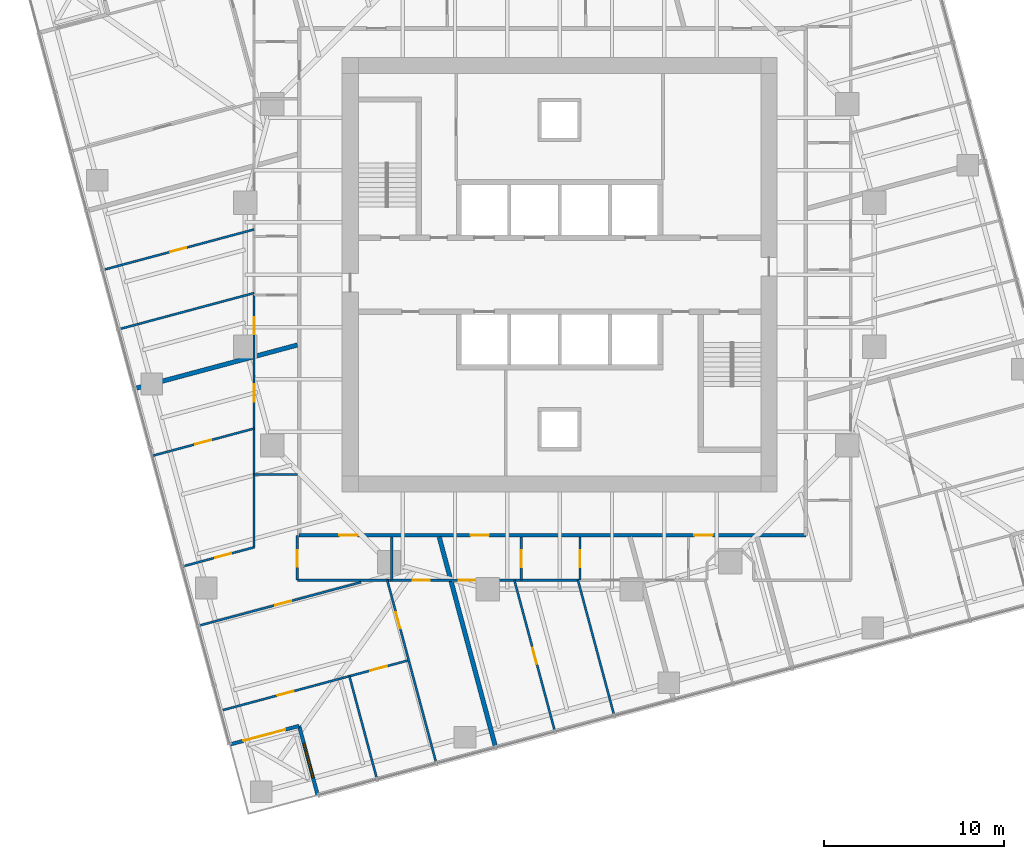
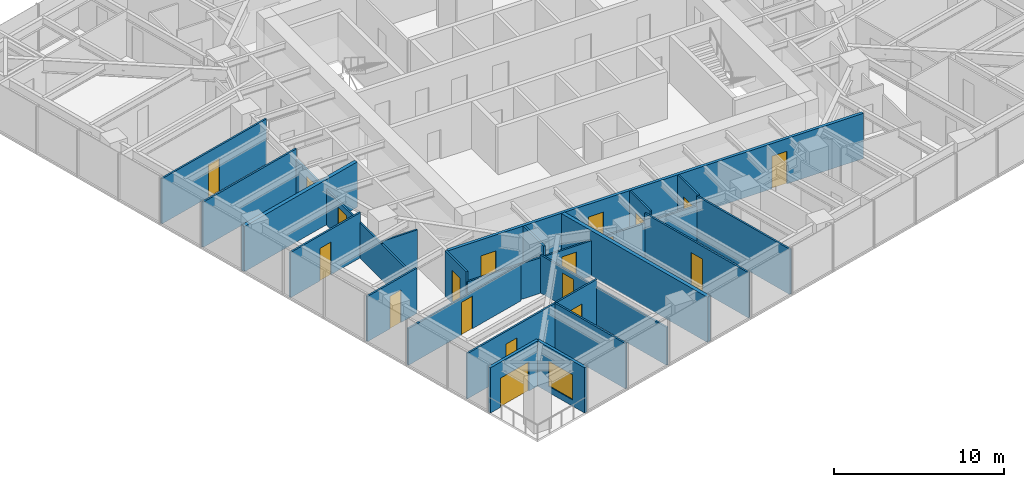
# One storey, part 8 of 14: 22 walls, 19 doors, 1 window, 20 openings.
"""IFC4 building model written with IfcOpenShell, lengths in metres."""

from ifc_helpers import new_model, si_unit, direction, frame, frame_2d, origin, place, context, subcontext, project, spatial, rectangle, extrude, material, layer, layer_set, type_object, element, fill, save


model = new_model("IFC4")

# Units and contexts
model_context = context("Model", 3, precision=1e-05, world=origin(), true_north=direction((0.0, 1.0)))
body_context = subcontext(model_context, "Body", "Model", "MODEL_VIEW")
ifc_project = project(units=[si_unit("LENGTHUNIT", "METRE"), si_unit("AREAUNIT", "SQUARE_METRE"), si_unit("VOLUMEUNIT", "CUBIC_METRE"), si_unit("PLANEANGLEUNIT", "RADIAN"), si_unit("MASSUNIT", "GRAM", prefix="KILO")], contexts=[model_context])

# Site, building, storey
site_placement = place(None, origin())
site = spatial("IfcSite", under=ifc_project, at=site_placement, CompositionType="ELEMENT")
building_placement = place(site_placement, origin())
building = spatial("IfcBuilding", under=site, at=building_placement, Name="Torsade Residences", CompositionType="ELEMENT")
storey_placement = place(building_placement, frame((0.0, 0.0, 121.800048828125)))
storey = spatial("IfcBuildingStorey", under=building, at=storey_placement, Name="L33", CompositionType="ELEMENT", Elevation=121.800048828125)

# Wall, openings, doors
ifc_material_1 = material(Name="Plasterboard on steel stud", Category="steel")
ifc_layer_1 = layer(ifc_material_1, 0.199951171875)
ifc_layer_set_1 = layer_set([ifc_layer_1], Name="Plasterboard on steel stud")
wall_type_1 = type_object("IfcWallType", Name="CORRIDOR WALL 200", PredefinedType="PARTITIONING", material=ifc_layer_set_1)
wall_1_placement = place(storey_placement, frame((25.5, 15.5, 0.0), z_axis=(0.0, 0.0, 1.0), x_axis=(1.0, 0.0, 0.0)))
wall_1 = element("IfcWall", 1, at=wall_1_placement, inside=storey, type_object=wall_type_1, Name="Corridor wall L33", PredefinedType="PARTITIONING", context=body_context, shape_type="SweptSolid", body=[
    extrude(rectangle(XDim=28.199951171875, YDim=0.199951171875, at=frame_2d((14.10009765625, 0.0))), origin(), (0.0, 0.0, 1.0), 3.25),
])
opening_1_placement = place(wall_1_placement, frame((2.244140625, 0.0, 0.0)))
opening_1 = element("IfcOpeningElement", 2, at=opening_1_placement, cuts=wall_1, Name="Opening D01L", PredefinedType="OPENING", context=body_context, shape_type="SweptSolid", body=[
    extrude(rectangle(XDim=1.02001953125, YDim=2.10009765625, at=frame_2d((0.510009765625, 1.050048828125))), frame((0.0, 0.10986328125, 0.0), z_axis=(0.0, -1.0, 0.0), x_axis=(1.0, 0.0, 0.0)), (0.0, 0.0, 1.0), 0.219970703125),
])
opening_2_placement = place(wall_1_placement, frame((9.542236328125, 0.0, 0.0)))
opening_2 = element("IfcOpeningElement", 3, at=opening_2_placement, cuts=wall_1, Name="Opening D01", PredefinedType="OPENING", context=body_context, shape_type="SweptSolid", body=[
    extrude(rectangle(XDim=1.02001953125, YDim=2.340087890625, at=frame_2d((0.510009765625, 1.169921875))), frame((0.0, 0.10986328125, 0.0), z_axis=(0.0, -1.0, 0.0), x_axis=(1.0, 0.0, 0.0)), (0.0, 0.0, 1.0), 0.219970703125),
])
opening_3_placement = place(wall_1_placement, frame((21.994384765625, 0.0, 0.0)))
opening_3 = element("IfcOpeningElement", 4, at=opening_3_placement, cuts=wall_1, Name="Opening D01", PredefinedType="OPENING", context=body_context, shape_type="SweptSolid", body=[
    extrude(rectangle(XDim=1.02001953125, YDim=2.340087890625, at=frame_2d((0.510009765625, 1.169921875))), frame((0.0, 0.10986328125, 0.0), z_axis=(0.0, -1.0, 0.0), x_axis=(1.0, 0.0, 0.0)), (0.0, 0.0, 1.0), 0.219970703125),
])
ifc_material_2 = material(Name="Solid-core timber fire door", Category="wood")
door_type_1 = type_object("IfcDoorType", Name="APARTMENT ENTRY DOOR 1020x2100", OperationType="NOTDEFINED", PredefinedType="DOOR", material=ifc_material_2)
door_1_placement = place(opening_1_placement, origin())
door_1 = element("IfcDoor", 5, at=door_1_placement, inside=storey, type_object=door_type_1, Name="Door Residential corridor to Kitchen and dining", OperationType="SINGLE_SWING_LEFT", OverallHeight=2.10009765625, OverallWidth=1.02001953125, PredefinedType="DOOR", context=body_context, shape_type="SweptSolid", body=[
    extrude(rectangle(XDim=1.02001953125, YDim=2.10009765625, at=frame_2d((0.510009765625, 1.050048828125))), frame((0.0, 0.02490234375, 0.0), z_axis=(0.0, -1.0, 0.0), x_axis=(1.0, 0.0, 0.0)), (0.0, 0.0, 1.0), 0.050048828125),
])
fill(opening_1, door_1)
ifc_material_3 = material(Name="Solid-core timber fire door", Category="wood")
door_type_2 = type_object("IfcDoorType", Name="APARTMENT ENTRY DOOR 1020x2340", OperationType="NOTDEFINED", PredefinedType="DOOR", material=ifc_material_3)
door_2_placement = place(opening_2_placement, origin())
door_2 = element("IfcDoor", 6, at=door_2_placement, inside=storey, type_object=door_type_2, Name="Door Residential corridor to Kitchen and dining", OperationType="SINGLE_SWING_LEFT", OverallHeight=2.340087890625, OverallWidth=1.02001953125, PredefinedType="DOOR", context=body_context, shape_type="SweptSolid", body=[
    extrude(rectangle(XDim=1.02001953125, YDim=2.340087890625, at=frame_2d((0.510009765625, 1.169921875))), frame((0.0, 0.02490234375, 0.0), z_axis=(0.0, -1.0, 0.0), x_axis=(1.0, 0.0, 0.0)), (0.0, 0.0, 1.0), 0.050048828125),
])
fill(opening_2, door_2)
door_3_placement = place(opening_3_placement, origin())
door_3 = element("IfcDoor", 7, at=door_3_placement, inside=storey, type_object=door_type_2, Name="Door Residential corridor to Kitchen and dining", OperationType="SINGLE_SWING_RIGHT", OverallHeight=2.340087890625, OverallWidth=1.02001953125, PredefinedType="DOOR", context=body_context, shape_type="SweptSolid", body=[
    extrude(rectangle(XDim=1.02001953125, YDim=2.340087890625, at=frame_2d((0.510009765625, 1.169921875))), frame((0.0, 0.02490234375, 0.0), z_axis=(0.0, -1.0, 0.0), x_axis=(1.0, 0.0, 0.0)), (0.0, 0.0, 1.0), 0.050048828125),
])
fill(opening_3, door_3)

# Wall
ifc_material_4 = material(Name="Plasterboard on steel stud", Category="steel")
ifc_layer_2 = layer(ifc_material_4, 0.1201171875)
ifc_layer_set_2 = layer_set([ifc_layer_2], Name="Plasterboard on steel stud")
wall_type_2 = type_object("IfcWallType", Name="PARTITION 120", PredefinedType="PARTITIONING", material=ifc_layer_set_2)
wall_2_placement = place(storey_placement, frame((30.658203125, 15.39990234375, 0.0), z_axis=(0.0, 0.0, 1.0), x_axis=(0.0, -1.0, 0.0)))
element("IfcWall", 8, at=wall_2_placement, inside=storey, type_object=wall_type_2, Name="Partition L33", PredefinedType="PARTITIONING", context=body_context, shape_type="SweptSolid", body=[
    extrude(rectangle(XDim=2.39990234375, YDim=0.1201171875, at=frame_2d((1.199951171875, 0.0))), origin(), (0.0, 0.0, 1.0), 3.25),
])

# Wall, openings, doors
wall_3_placement = place(storey_placement, frame((41.06982421875, 13.0, 0.0), z_axis=(0.0, 0.0, 1.0), x_axis=(-1.0, 0.0, 0.0)))
wall_3 = element("IfcWall", 9, at=wall_3_placement, inside=storey, type_object=wall_type_2, Name="Partition L33", PredefinedType="PARTITIONING", context=body_context, shape_type="SweptSolid", body=[
    extrude(rectangle(XDim=15.669921875, YDim=0.1201171875, at=frame_2d((7.8349609375, 0.0))), origin(), (0.0, 0.0, 1.0), 2.550048828125),
])
opening_4_placement = place(wall_3_placement, frame((5.771728515625, 0.0, 0.0)))
opening_4 = element("IfcOpeningElement", 10, at=opening_4_placement, cuts=wall_3, Name="Opening D02", PredefinedType="OPENING", context=body_context, shape_type="SweptSolid", body=[
    extrude(rectangle(XDim=0.919921875, YDim=2.340087890625, at=frame_2d((0.4599609375, 1.169921875))), frame((0.0, 0.070068359375, 0.0), z_axis=(0.0, -1.0, 0.0), x_axis=(1.0, 0.0, 0.0)), (0.0, 0.0, 1.0), 0.14013671875),
])
opening_5_placement = place(wall_3_placement, frame((8.288818359375, 0.0, 0.0)))
opening_5 = element("IfcOpeningElement", 11, at=opening_5_placement, cuts=wall_3, Name="Opening D05", PredefinedType="OPENING", context=body_context, shape_type="SweptSolid", body=[
    extrude(rectangle(XDim=0.9599609375, YDim=2.10009765625, at=frame_2d((0.47998046875, 1.050048828125))), frame((0.0, 0.070068359375, 0.0), z_axis=(0.0, -1.0, 0.0), x_axis=(1.0, 0.0, 0.0)), (0.0, 0.0, 1.0), 0.14013671875),
])
ifc_material_5 = material(Name="Hollow-core timber door in a steel cavity frame", Category="steel")
door_type_3 = type_object("IfcDoorType", Name="BATHROOM CAVITY SLIDING DOOR 960", OperationType="SLIDING_TO_LEFT", PredefinedType="DOOR", material=ifc_material_5)
door_4_placement = place(opening_5_placement, origin())
door_4 = element("IfcDoor", 12, at=door_4_placement, inside=storey, type_object=door_type_3, Name="Door Bedroom 2 to Ensuite", OperationType="SLIDING_TO_LEFT", OverallHeight=2.10009765625, OverallWidth=0.9599609375, PredefinedType="DOOR", context=body_context, shape_type="SweptSolid", body=[
    extrude(rectangle(XDim=0.9599609375, YDim=2.10009765625, at=frame_2d((0.47998046875, 1.050048828125))), frame((0.0, 0.02490234375, 0.0), z_axis=(0.0, -1.0, 0.0), x_axis=(1.0, 0.0, 0.0)), (0.0, 0.0, 1.0), 0.050048828125),
])
fill(opening_5, door_4)
ifc_material_6 = material(Name="Hollow-core timber door", Category="wood")
door_type_4 = type_object("IfcDoorType", Name="INTERNAL DOOR 920x2340", OperationType="NOTDEFINED", PredefinedType="DOOR", material=ifc_material_6)
door_5_placement = place(opening_4_placement, origin())
door_5 = element("IfcDoor", 13, at=door_5_placement, inside=storey, type_object=door_type_4, Name="Door Kitchen and dining to Living room", OperationType="SINGLE_SWING_LEFT", OverallHeight=2.340087890625, OverallWidth=0.919921875, PredefinedType="DOOR", context=body_context, shape_type="SweptSolid", body=[
    extrude(rectangle(XDim=0.919921875, YDim=2.340087890625, at=frame_2d((0.4599609375, 1.169921875))), frame((0.0, 0.02490234375, 0.0), z_axis=(0.0, -1.0, 0.0), x_axis=(1.0, 0.0, 0.0)), (0.0, 0.0, 1.0), 0.050048828125),
])
fill(opening_4, door_5)

# Wall, opening, door
wall_4_placement = place(storey_placement, frame((25.39990234375, 13.0, 0.0), z_axis=(0.0, 0.0, 1.0), x_axis=(0.0, 1.0, 0.0)))
wall_4 = element("IfcWall", 14, at=wall_4_placement, inside=storey, type_object=wall_type_2, Name="Partition L33", PredefinedType="PARTITIONING", context=body_context, shape_type="SweptSolid", body=[
    extrude(rectangle(XDim=2.5, YDim=0.1201171875, at=frame_2d((1.25, 0.0))), origin(), (0.0, 0.0, 1.0), 3.25),
])
opening_6_placement = place(wall_4_placement, frame((0.739990234375, 0.0, 0.0)))
opening_6 = element("IfcOpeningElement", 15, at=opening_6_placement, cuts=wall_4, Name="Opening D02", PredefinedType="OPENING", context=body_context, shape_type="SweptSolid", body=[
    extrude(rectangle(XDim=0.919921875, YDim=2.340087890625, at=frame_2d((0.4599609375, 1.169921875))), frame((0.0, 0.070068359375, 0.0), z_axis=(0.0, -1.0, 0.0), x_axis=(1.0, 0.0, 0.0)), (0.0, 0.0, 1.0), 0.14013671875),
])
door_6_placement = place(opening_6_placement, origin())
door_6 = element("IfcDoor", 16, at=door_6_placement, inside=storey, type_object=door_type_4, Name="Door Kitchen and dining to Media room", OperationType="SINGLE_SWING_LEFT", OverallHeight=2.340087890625, OverallWidth=0.919921875, PredefinedType="DOOR", context=body_context, shape_type="SweptSolid", body=[
    extrude(rectangle(XDim=0.919921875, YDim=2.340087890625, at=frame_2d((0.4599609375, 1.169921875))), frame((0.0, 0.02490234375, 0.0), z_axis=(0.0, -1.0, 0.0), x_axis=(1.0, 0.0, 0.0)), (0.0, 0.0, 1.0), 0.050048828125),
])
fill(opening_6, door_6)

# Wall, openings, doors
wall_5_placement = place(storey_placement, frame((23.0, 14.833251953125, 0.0), z_axis=(0.0, 0.0, 1.0), x_axis=(0.0, 1.0, 0.0)))
wall_5 = element("IfcWall", 17, at=wall_5_placement, inside=storey, type_object=wall_type_2, Name="Partition L33", PredefinedType="PARTITIONING", context=body_context, shape_type="SweptSolid", body=[
    extrude(rectangle(XDim=14.034423828125, YDim=0.1201171875, at=frame_2d((7.01708984375, 0.0))), origin(), (0.0, 0.0, 1.0), 2.550048828125),
])
opening_7_placement = place(wall_5_placement, frame((11.843017578125, 0.0, 0.0)))
opening_7 = element("IfcOpeningElement", 18, at=opening_7_placement, cuts=wall_5, Name="Opening D05", PredefinedType="OPENING", context=body_context, shape_type="SweptSolid", body=[
    extrude(rectangle(XDim=0.9599609375, YDim=2.10009765625, at=frame_2d((0.47998046875, 1.050048828125))), frame((0.0, 0.070068359375, 0.0), z_axis=(0.0, -1.0, 0.0), x_axis=(1.0, 0.0, 0.0)), (0.0, 0.0, 1.0), 0.14013671875),
])
opening_8_placement = place(wall_5_placement, frame((8.10400390625, 0.0, 0.0)))
opening_8 = element("IfcOpeningElement", 19, at=opening_8_placement, cuts=wall_5, Name="Opening D05", PredefinedType="OPENING", context=body_context, shape_type="SweptSolid", body=[
    extrude(rectangle(XDim=0.9599609375, YDim=2.10009765625, at=frame_2d((0.47998046875, 1.050048828125))), frame((0.0, 0.070068359375, 0.0), z_axis=(0.0, -1.0, 0.0), x_axis=(1.0, 0.0, 0.0)), (0.0, 0.0, 1.0), 0.14013671875),
])
door_7_placement = place(opening_7_placement, origin())
door_7 = element("IfcDoor", 20, at=door_7_placement, inside=storey, type_object=door_type_3, Name="Door Ensuite to Bedroom 2", OperationType="SLIDING_TO_LEFT", OverallHeight=2.10009765625, OverallWidth=0.9599609375, PredefinedType="DOOR", context=body_context, shape_type="SweptSolid", body=[
    extrude(rectangle(XDim=0.9599609375, YDim=2.10009765625, at=frame_2d((0.47998046875, 1.050048828125))), frame((0.0, 0.02490234375, 0.0), z_axis=(0.0, -1.0, 0.0), x_axis=(1.0, 0.0, 0.0)), (0.0, 0.0, 1.0), 0.050048828125),
])
fill(opening_7, door_7)
door_8_placement = place(opening_8_placement, origin())
door_8 = element("IfcDoor", 21, at=door_8_placement, inside=storey, type_object=door_type_3, Name="Door Study to Ensuite 2", OperationType="SLIDING_TO_LEFT", OverallHeight=2.10009765625, OverallWidth=0.9599609375, PredefinedType="DOOR", context=body_context, shape_type="SweptSolid", body=[
    extrude(rectangle(XDim=0.9599609375, YDim=2.10009765625, at=frame_2d((0.47998046875, 1.050048828125))), frame((0.0, 0.02490234375, 0.0), z_axis=(0.0, -1.0, 0.0), x_axis=(1.0, 0.0, 0.0)), (0.0, 0.0, 1.0), 0.050048828125),
])
fill(opening_8, door_8)

# Wall
wall_6_placement = place(storey_placement, frame((25.39990234375, 18.88037109375, 0.0), z_axis=(0.0, 0.0, 1.0), x_axis=(-1.0, 0.0, 0.0)))
element("IfcWall", 22, at=wall_6_placement, inside=storey, type_object=wall_type_2, Name="Partition L33", PredefinedType="PARTITIONING", context=body_context, shape_type="SweptSolid", body=[
    extrude(rectangle(XDim=2.39990234375, YDim=0.1201171875, at=frame_2d((1.199951171875, 0.0))), origin(), (0.0, 0.0, 1.0), 2.721923828125),
])

# Wall, opening, door
wall_7_placement = place(storey_placement, frame((30.40625, 13.0, 0.0), z_axis=(0.0, 0.0, 1.0), x_axis=(0.258819200315, -0.9659257847, 0.0)))
wall_7 = element("IfcWall", 23, at=wall_7_placement, inside=storey, type_object=wall_type_2, Name="Partition L33", PredefinedType="PARTITIONING", context=body_context, shape_type="SweptSolid", body=[
    extrude(rectangle(XDim=10.5224609375, YDim=0.1201171875, at=frame_2d((5.26123046875, 0.0))), origin(), (0.0, 0.0, 1.0), 2.721923828125),
])
opening_9_placement = place(wall_7_placement, frame((1.846435546875, 0.0, 0.0)))
opening_9 = element("IfcOpeningElement", 24, at=opening_9_placement, cuts=wall_7, Name="Opening D02", PredefinedType="OPENING", context=body_context, shape_type="SweptSolid", body=[
    extrude(rectangle(XDim=0.919921875, YDim=2.340087890625, at=frame_2d((0.4599609375, 1.169921875))), frame((0.0, 0.070068359375, 0.0), z_axis=(0.0, -1.0, 0.0), x_axis=(1.0, 0.0, 0.0)), (0.0, 0.0, 1.0), 0.14013671875),
])
door_9_placement = place(opening_9_placement, origin())
door_9 = element("IfcDoor", 25, at=door_9_placement, inside=storey, type_object=door_type_4, Name="Door Living room to Bedroom 2", OperationType="SINGLE_SWING_LEFT", OverallHeight=2.340087890625, OverallWidth=0.919921875, PredefinedType="DOOR", context=body_context, shape_type="SweptSolid", body=[
    extrude(rectangle(XDim=0.919921875, YDim=2.340087890625, at=frame_2d((0.4599609375, 1.169921875))), frame((0.0, 0.02490234375, 0.0), z_axis=(0.0, -1.0, 0.0), x_axis=(1.0, 0.0, 0.0)), (0.0, 0.0, 1.0), 0.050048828125),
])
fill(opening_9, door_9)

# Wall, openings, doors
wall_8_placement = place(storey_placement, frame((31.60009765625, 8.54443359375, 0.0), z_axis=(0.0, 0.0, 1.0), x_axis=(-0.965927151587, -0.258814098973, 0.0)))
wall_8 = element("IfcWall", 26, at=wall_8_placement, inside=storey, type_object=wall_type_2, Name="Partition L33", PredefinedType="PARTITIONING", context=body_context, shape_type="SweptSolid", body=[
    extrude(rectangle(XDim=10.793212890625, YDim=0.1201171875, at=frame_2d((5.396484375, 0.0))), origin(), (0.0, 0.0, 1.0), 3.25),
])
opening_10_placement = place(wall_8_placement, frame((6.639892578125, 0.0, 0.0)))
opening_10 = element("IfcOpeningElement", 27, at=opening_10_placement, cuts=wall_8, Name="Opening D02", PredefinedType="OPENING", context=body_context, shape_type="SweptSolid", body=[
    extrude(rectangle(XDim=0.919921875, YDim=2.340087890625, at=frame_2d((0.4599609375, 1.169921875))), frame((0.0, 0.070068359375, 0.0), z_axis=(0.0, -1.0, 0.0), x_axis=(1.0, 0.0, 0.0)), (0.0, 0.0, 1.0), 0.14013671875),
])
opening_11_placement = place(wall_8_placement, frame((1.25341796875, 0.0, 0.0)))
opening_11 = element("IfcOpeningElement", 28, at=opening_11_placement, cuts=wall_8, Name="Opening D05", PredefinedType="OPENING", context=body_context, shape_type="SweptSolid", body=[
    extrude(rectangle(XDim=0.9599609375, YDim=2.10009765625, at=frame_2d((0.47998046875, 1.050048828125))), frame((0.0, 0.070068359375, 0.0), z_axis=(0.0, -1.0, 0.0), x_axis=(1.0, 0.0, 0.0)), (0.0, 0.0, 1.0), 0.14013671875),
])
door_10_placement = place(opening_11_placement, origin())
door_10 = element("IfcDoor", 29, at=door_10_placement, inside=storey, type_object=door_type_3, Name="Door Living room to Bathroom", OperationType="SLIDING_TO_LEFT", OverallHeight=2.10009765625, OverallWidth=0.9599609375, PredefinedType="DOOR", context=body_context, shape_type="SweptSolid", body=[
    extrude(rectangle(XDim=0.9599609375, YDim=2.10009765625, at=frame_2d((0.47998046875, 1.050048828125))), frame((0.0, 0.02490234375, 0.0), z_axis=(0.0, -1.0, 0.0), x_axis=(1.0, 0.0, 0.0)), (0.0, 0.0, 1.0), 0.050048828125),
])
fill(opening_11, door_10)
door_11_placement = place(opening_10_placement, origin())
door_11 = element("IfcDoor", 30, at=door_11_placement, inside=storey, type_object=door_type_4, Name="Door Living room to Bedroom 3", OperationType="SINGLE_SWING_LEFT", OverallHeight=2.340087890625, OverallWidth=0.919921875, PredefinedType="DOOR", context=body_context, shape_type="SweptSolid", body=[
    extrude(rectangle(XDim=0.919921875, YDim=2.340087890625, at=frame_2d((0.4599609375, 1.169921875))), frame((0.0, 0.02490234375, 0.0), z_axis=(0.0, -1.0, 0.0), x_axis=(1.0, 0.0, 0.0)), (0.0, 0.0, 1.0), 0.050048828125),
])
fill(opening_10, door_11)

# Wall, opening, door
wall_9_placement = place(storey_placement, frame((19.91064453125, 10.46826171875, 0.0), z_axis=(0.0, 0.0, 1.0), x_axis=(0.965927203676, 0.25881390457, 0.0)))
wall_9 = element("IfcWall", 31, at=wall_9_placement, inside=storey, type_object=wall_type_2, Name="Partition L33", PredefinedType="PARTITIONING", context=body_context, shape_type="SweptSolid", body=[
    extrude(rectangle(XDim=9.356689453125, YDim=0.1201171875, at=frame_2d((4.67822265625, 0.0))), origin(), (0.0, 0.0, 1.0), 2.637939453125),
])
opening_12_placement = place(wall_9_placement, frame((4.410888671875, 0.0, 0.0)))
opening_12 = element("IfcOpeningElement", 32, at=opening_12_placement, cuts=wall_9, Name="Opening D02", PredefinedType="OPENING", context=body_context, shape_type="SweptSolid", body=[
    extrude(rectangle(XDim=0.919921875, YDim=2.340087890625, at=frame_2d((0.4599609375, 1.169921875))), frame((0.0, 0.070068359375, 0.0), z_axis=(0.0, -1.0, 0.0), x_axis=(1.0, 0.0, 0.0)), (0.0, 0.0, 1.0), 0.14013671875),
])
door_12_placement = place(opening_12_placement, origin())
door_12 = element("IfcDoor", 33, at=door_12_placement, inside=storey, type_object=door_type_4, Name="Door Media room to Living room", OperationType="SINGLE_SWING_LEFT", OverallHeight=2.340087890625, OverallWidth=0.919921875, PredefinedType="DOOR", context=body_context, shape_type="SweptSolid", body=[
    extrude(rectangle(XDim=0.919921875, YDim=2.340087890625, at=frame_2d((0.4599609375, 1.169921875))), frame((0.0, 0.02490234375, 0.0), z_axis=(0.0, -1.0, 0.0), x_axis=(1.0, 0.0, 0.0)), (0.0, 0.0, 1.0), 0.050048828125),
])
fill(opening_12, door_12)

wall_10_placement = place(storey_placement, frame((17.374267578125, 19.934326171875, 0.0), z_axis=(0.0, 0.0, 1.0), x_axis=(0.965929528031, 0.258805229617, 0.0)))
wall_10 = element("IfcWall", 34, at=wall_10_placement, inside=storey, type_object=wall_type_2, Name="Partition L33", PredefinedType="PARTITIONING", context=body_context, shape_type="SweptSolid", body=[
    extrude(rectangle(XDim=5.82421875, YDim=0.1201171875, at=frame_2d((2.912109375, 0.0))), origin(), (0.0, 0.0, 1.0), 3.25),
])
opening_13_placement = place(wall_10_placement, frame((2.43212890625, 0.0, 0.0)))
opening_13 = element("IfcOpeningElement", 35, at=opening_13_placement, cuts=wall_10, Name="Opening D02", PredefinedType="OPENING", context=body_context, shape_type="SweptSolid", body=[
    extrude(rectangle(XDim=0.919921875, YDim=2.340087890625, at=frame_2d((0.4599609375, 1.169921875))), frame((0.0, 0.070068359375, 0.0), z_axis=(0.0, -1.0, 0.0), x_axis=(1.0, 0.0, 0.0)), (0.0, 0.0, 1.0), 0.14013671875),
])
door_13_placement = place(opening_13_placement, origin())
door_13 = element("IfcDoor", 36, at=door_13_placement, inside=storey, type_object=door_type_4, Name="Door Bedroom 1 to Study", OperationType="SINGLE_SWING_RIGHT", OverallHeight=2.340087890625, OverallWidth=0.919921875, PredefinedType="DOOR", context=body_context, shape_type="SweptSolid", body=[
    extrude(rectangle(XDim=0.919921875, YDim=2.340087890625, at=frame_2d((0.4599609375, 1.169921875))), frame((0.0, 0.02490234375, 0.0), z_axis=(0.0, -1.0, 0.0), x_axis=(1.0, 0.0, 0.0)), (0.0, 0.0, 1.0), 0.050048828125),
])
fill(opening_13, door_13)

wall_11_placement = place(storey_placement, frame((23.0, 14.833251953125, 0.0), z_axis=(0.0, 0.0, 1.0), x_axis=(-0.965927919062, -0.258811234642, 0.0)))
wall_11 = element("IfcWall", 37, at=wall_11_placement, inside=storey, type_object=wall_type_2, Name="Partition L33", PredefinedType="PARTITIONING", context=body_context, shape_type="SweptSolid", body=[
    extrude(rectangle(XDim=4.11376953125, YDim=0.1201171875, at=frame_2d((2.056884765625, 0.0))), origin(), (0.0, 0.0, 1.0), 3.25),
])
opening_14_placement = place(wall_11_placement, frame((1.31689453125, 0.0, 0.0)))
opening_14 = element("IfcOpeningElement", 38, at=opening_14_placement, cuts=wall_11, Name="Opening D02", PredefinedType="OPENING", context=body_context, shape_type="SweptSolid", body=[
    extrude(rectangle(XDim=0.919921875, YDim=2.340087890625, at=frame_2d((0.4599609375, 1.169921875))), frame((0.0, 0.070068359375, 0.0), z_axis=(0.0, -1.0, 0.0), x_axis=(1.0, 0.0, 0.0)), (0.0, 0.0, 1.0), 0.14013671875),
])
door_14_placement = place(opening_14_placement, origin())
door_14 = element("IfcDoor", 39, at=door_14_placement, inside=storey, type_object=door_type_4, Name="Door Media room to Bedroom 1", OperationType="SINGLE_SWING_RIGHT", OverallHeight=2.340087890625, OverallWidth=0.919921875, PredefinedType="DOOR", context=body_context, shape_type="SweptSolid", body=[
    extrude(rectangle(XDim=0.919921875, YDim=2.340087890625, at=frame_2d((0.4599609375, 1.169921875))), frame((0.0, 0.02490234375, 0.0), z_axis=(0.0, -1.0, 0.0), x_axis=(1.0, 0.0, 0.0)), (0.0, 0.0, 1.0), 0.050048828125),
])
fill(opening_14, door_14)

# Wall
wall_12_placement = place(storey_placement, frame((28.300048828125, 7.66015625, 0.0), z_axis=(0.0, 0.0, 1.0), x_axis=(0.25882212607, -0.965925000741, 0.0)))
element("IfcWall", 40, at=wall_12_placement, inside=storey, type_object=wall_type_2, Name="Partition L33", PredefinedType="PARTITIONING", context=body_context, shape_type="SweptSolid", body=[
    extrude(rectangle(XDim=5.90966796875, YDim=0.1201171875, at=frame_2d((2.954833984375, 0.0))), origin(), (0.0, 0.0, 1.0), 3.25),
])

# Wall, opening, door
wall_13_placement = place(storey_placement, frame((37.8662109375, 15.39990234375, 0.0), z_axis=(0.0, 0.0, 1.0), x_axis=(0.0, -1.0, 0.0)))
wall_13 = element("IfcWall", 41, at=wall_13_placement, inside=storey, type_object=wall_type_2, Name="Partition L33", PredefinedType="PARTITIONING", context=body_context, shape_type="SweptSolid", body=[
    extrude(rectangle(XDim=2.39990234375, YDim=0.1201171875, at=frame_2d((1.199951171875, 0.0))), origin(), (0.0, 0.0, 1.0), 3.25),
])
opening_15_placement = place(wall_13_placement, frame((0.719970703125, 0.0, 0.0)))
opening_15 = element("IfcOpeningElement", 42, at=opening_15_placement, cuts=wall_13, Name="Opening D05", PredefinedType="OPENING", context=body_context, shape_type="SweptSolid", body=[
    extrude(rectangle(XDim=0.9599609375, YDim=2.10009765625, at=frame_2d((0.47998046875, 1.050048828125))), frame((0.0, 0.070068359375, 0.0), z_axis=(0.0, -1.0, 0.0), x_axis=(1.0, 0.0, 0.0)), (0.0, 0.0, 1.0), 0.14013671875),
])
door_15_placement = place(opening_15_placement, origin())
door_15 = element("IfcDoor", 43, at=door_15_placement, inside=storey, type_object=door_type_3, Name="Door Kitchen and dining to Bathroom", OperationType="SLIDING_TO_LEFT", OverallHeight=2.10009765625, OverallWidth=0.9599609375, PredefinedType="DOOR", context=body_context, shape_type="SweptSolid", body=[
    extrude(rectangle(XDim=0.9599609375, YDim=2.10009765625, at=frame_2d((0.47998046875, 1.050048828125))), frame((0.0, 0.02490234375, 0.0), z_axis=(0.0, -1.0, 0.0), x_axis=(1.0, 0.0, 0.0)), (0.0, 0.0, 1.0), 0.050048828125),
])
fill(opening_15, door_15)

wall_14_placement = place(storey_placement, frame((41.13232421875, 15.39990234375, 0.0), z_axis=(0.0, 0.0, 1.0), x_axis=(0.0, -1.0, 0.0)))
wall_14 = element("IfcWall", 44, at=wall_14_placement, inside=storey, type_object=wall_type_2, Name="Partition L33", PredefinedType="PARTITIONING", context=body_context, shape_type="SweptSolid", body=[
    extrude(rectangle(XDim=2.39990234375, YDim=0.1201171875, at=frame_2d((1.199951171875, 0.0))), origin(), (0.0, 0.0, 1.0), 3.25),
])
opening_16_placement = place(wall_14_placement, frame((0.719970703125, 0.0, 0.0)))
opening_16 = element("IfcOpeningElement", 45, at=opening_16_placement, cuts=wall_14, Name="Opening D05", PredefinedType="OPENING", context=body_context, shape_type="SweptSolid", body=[
    extrude(rectangle(XDim=0.9599609375, YDim=2.10009765625, at=frame_2d((0.47998046875, 1.050048828125))), frame((0.0, 0.070068359375, 0.0), z_axis=(0.0, -1.0, 0.0), x_axis=(1.0, 0.0, 0.0)), (0.0, 0.0, 1.0), 0.14013671875),
])
door_16_placement = place(opening_16_placement, origin())
door_16 = element("IfcDoor", 46, at=door_16_placement, inside=storey, type_object=door_type_3, Name="Door Bathroom to Ensuite", OperationType="SLIDING_TO_LEFT", OverallHeight=2.10009765625, OverallWidth=0.9599609375, PredefinedType="DOOR", context=body_context, shape_type="SweptSolid", body=[
    extrude(rectangle(XDim=0.9599609375, YDim=2.10009765625, at=frame_2d((0.47998046875, 1.050048828125))), frame((0.0, 0.02490234375, 0.0), z_axis=(0.0, -1.0, 0.0), x_axis=(1.0, 0.0, 0.0)), (0.0, 0.0, 1.0), 0.050048828125),
])
fill(opening_16, door_16)

wall_15_placement = place(storey_placement, frame((37.480712890625, 13.0, 0.0), z_axis=(0.0, 0.0, 1.0), x_axis=(0.258819860698, -0.965925607751, 0.0)))
wall_15 = element("IfcWall", 47, at=wall_15_placement, inside=storey, type_object=wall_type_2, Name="Partition L33", PredefinedType="PARTITIONING", context=body_context, shape_type="SweptSolid", body=[
    extrude(rectangle(XDim=8.69140625, YDim=0.1201171875, at=frame_2d((4.345703125, 0.0))), origin(), (0.0, 0.0, 1.0), 3.25),
])
opening_17_placement = place(wall_15_placement, frame((3.90576171875, 0.0, 0.0)))
opening_17 = element("IfcOpeningElement", 48, at=opening_17_placement, cuts=wall_15, Name="Opening D02", PredefinedType="OPENING", context=body_context, shape_type="SweptSolid", body=[
    extrude(rectangle(XDim=0.919921875, YDim=2.340087890625, at=frame_2d((0.4599609375, 1.169921875))), frame((0.0, 0.070068359375, 0.0), z_axis=(0.0, -1.0, 0.0), x_axis=(1.0, 0.0, 0.0)), (0.0, 0.0, 1.0), 0.14013671875),
])
door_17_placement = place(opening_17_placement, origin())
door_17 = element("IfcDoor", 49, at=door_17_placement, inside=storey, type_object=door_type_4, Name="Door Living room to Bedroom 1", OperationType="SINGLE_SWING_LEFT", OverallHeight=2.340087890625, OverallWidth=0.919921875, PredefinedType="DOOR", context=body_context, shape_type="SweptSolid", body=[
    extrude(rectangle(XDim=0.919921875, YDim=2.340087890625, at=frame_2d((0.4599609375, 1.169921875))), frame((0.0, 0.02490234375, 0.0), z_axis=(0.0, -1.0, 0.0), x_axis=(1.0, 0.0, 0.0)), (0.0, 0.0, 1.0), 0.050048828125),
])
fill(opening_17, door_17)

# Wall
wall_16_placement = place(storey_placement, frame((41.01806640625, 13.0, 0.0), z_axis=(0.0, 0.0, 1.0), x_axis=(0.258813509689, -0.965927309482, 0.0)))
element("IfcWall", 50, at=wall_16_placement, inside=storey, type_object=wall_type_2, Name="Partition L33", PredefinedType="PARTITIONING", context=body_context, shape_type="SweptSolid", body=[
    extrude(rectangle(XDim=7.775634765625, YDim=0.1201171875, at=frame_2d((3.8876953125, 0.0))), origin(), (0.0, 0.0, 1.0), 3.25),
])

# Wall, opening, door
wall_17_placement = place(storey_placement, frame((23.0, 32.519287109375, 0.0), z_axis=(0.0, 0.0, 1.0), x_axis=(-0.965925607751, -0.258819860698, 0.0)))
wall_17 = element("IfcWall", 51, at=wall_17_placement, inside=storey, type_object=wall_type_2, Name="Partition L33", PredefinedType="PARTITIONING", context=body_context, shape_type="SweptSolid", body=[
    extrude(rectangle(XDim=8.69140625, YDim=0.1201171875, at=frame_2d((4.345703125, 0.0))), origin(), (0.0, 0.0, 1.0), 3.25),
])
opening_18_placement = place(wall_17_placement, frame((3.90576171875, 0.0, 0.0)))
opening_18 = element("IfcOpeningElement", 52, at=opening_18_placement, cuts=wall_17, Name="Opening D02", PredefinedType="OPENING", context=body_context, shape_type="SweptSolid", body=[
    extrude(rectangle(XDim=0.919921875, YDim=2.340087890625, at=frame_2d((0.4599609375, 1.169921875))), frame((0.0, 0.070068359375, 0.0), z_axis=(0.0, -1.0, 0.0), x_axis=(1.0, 0.0, 0.0)), (0.0, 0.0, 1.0), 0.14013671875),
])
door_18_placement = place(opening_18_placement, origin())
door_18 = element("IfcDoor", 53, at=door_18_placement, inside=storey, type_object=door_type_4, Name="Door Living room to Bedroom 1", OperationType="SINGLE_SWING_LEFT", OverallHeight=2.340087890625, OverallWidth=0.919921875, PredefinedType="DOOR", context=body_context, shape_type="SweptSolid", body=[
    extrude(rectangle(XDim=0.919921875, YDim=2.340087890625, at=frame_2d((0.4599609375, 1.169921875))), frame((0.0, 0.02490234375, 0.0), z_axis=(0.0, -1.0, 0.0), x_axis=(1.0, 0.0, 0.0)), (0.0, 0.0, 1.0), 0.050048828125),
])
fill(opening_18, door_18)

# Walls
wall_18_placement = place(storey_placement, frame((23.0, 28.98193359375, 0.0), z_axis=(0.0, 0.0, 1.0), x_axis=(-0.965927309482, -0.258813509689, 0.0)))
element("IfcWall", 54, at=wall_18_placement, inside=storey, type_object=wall_type_2, Name="Partition L33", PredefinedType="PARTITIONING", context=body_context, shape_type="SweptSolid", body=[
    extrude(rectangle(XDim=7.775634765625, YDim=0.1201171875, at=frame_2d((3.8876953125, 0.0))), origin(), (0.0, 0.0, 1.0), 3.25),
])
ifc_material_7 = material(Name="Masonry-lined stud party wall", Category="masonry")
ifc_layer_3 = layer(ifc_material_7, 0.25)
ifc_layer_set_3 = layer_set([ifc_layer_3], Name="Masonry-lined stud party wall")
wall_type_3 = type_object("IfcWallType", Name="PARTY WALL 250", PredefinedType="PARTITIONING", material=ifc_layer_set_3)
wall_19_placement = place(storey_placement, frame((36.4404296875, 3.681884765625, 0.0), z_axis=(0.0, 0.0, 1.0), x_axis=(-0.258824223352, 0.965924438766, 0.0)))
element("IfcWall", 55, at=wall_19_placement, inside=storey, type_object=wall_type_3, Name="Party wall L33", PredefinedType="PARTITIONING", context=body_context, shape_type="SweptSolid", body=[
    extrude(rectangle(XDim=12.137939453125, YDim=0.25, at=frame_2d((6.06884765625, 0.0))), origin(), (0.0, 0.0, 1.0), 3.25),
])
wall_20_placement = place(storey_placement, frame((16.334716796875, 23.658935546875, 0.0), z_axis=(0.0, 0.0, 1.0), x_axis=(0.965927049013, 0.258814481793, 0.0)))
element("IfcWall", 56, at=wall_20_placement, inside=storey, type_object=wall_type_3, Name="Party wall L33", PredefinedType="PARTITIONING", context=body_context, shape_type="SweptSolid", body=[
    extrude(rectangle(XDim=9.3916015625, YDim=0.25, at=frame_2d((4.69580078125, 0.0))), origin(), (0.0, 0.0, 1.0), 3.25),
])

# Wall, opening, door
ifc_material_8 = material(Name="Stone-faced precast concrete 40 MPa panel", Category="masonry")
ifc_layer_4 = layer(ifc_material_8, 0.199951171875)
ifc_layer_set_4 = layer_set([ifc_layer_4], Name="Stone-faced precast concrete 40 MPa panel")
wall_type_4 = type_object("IfcWallType", Name="TERRACE WALL 200", PredefinedType="SOLIDWALL", material=ifc_layer_set_4)
wall_21_placement = place(storey_placement, frame((21.640625, 3.857421875, 0.0), z_axis=(0.0, 0.0, 1.0), x_axis=(0.965919172068, 0.258843877716, 0.0)))
wall_21 = element("IfcWall", 57, at=wall_21_placement, inside=storey, type_object=wall_type_4, Name="Terrace wall L33 11", PredefinedType="SOLIDWALL", context=body_context, shape_type="SweptSolid", body=[
    extrude(rectangle(XDim=4.0, YDim=0.199951171875, at=frame_2d((2.0, 0.0))), origin(), (0.0, 0.0, 1.0), 3.25),
])
opening_19_placement = place(wall_21_placement, frame((0.800048828125, 0.0, 0.0)))
opening_19 = element("IfcOpeningElement", 58, at=opening_19_placement, cuts=wall_21, Name="Opening D10A", PredefinedType="OPENING", context=body_context, shape_type="SweptSolid", body=[
    extrude(rectangle(XDim=2.39990234375, YDim=2.10009765625, at=frame_2d((1.199951171875, 1.050048828125))), frame((0.0, 0.10986328125, 0.0), z_axis=(0.0, -1.0, 0.0), x_axis=(1.0, 0.0, 0.0)), (0.0, 0.0, 1.0), 0.219970703125),
])
ifc_material_9 = material(Name="Aluminium-framed glass door", Category="aluminium")
door_type_5 = type_object("IfcDoorType", Name="TERRACE SLIDING DOOR 2400x2100", OperationType="SLIDING_TO_LEFT", PredefinedType="DOOR", material=ifc_material_9)
door_19_placement = place(opening_19_placement, origin())
door_19 = element("IfcDoor", 59, at=door_19_placement, inside=storey, type_object=door_type_5, Name="Terrace door L33 11", OperationType="SLIDING_TO_LEFT", OverallHeight=2.10009765625, OverallWidth=2.39990234375, PredefinedType="DOOR", context=body_context, shape_type="SweptSolid", body=[
    extrude(rectangle(XDim=2.39990234375, YDim=2.10009765625, at=frame_2d((1.199951171875, 1.050048828125))), frame((0.0, 0.02490234375, 0.0), z_axis=(0.0, -1.0, 0.0), x_axis=(1.0, 0.0, 0.0)), (0.0, 0.0, 1.0), 0.050048828125),
])
fill(opening_19, door_19)

# Wall, opening, window
wall_22_placement = place(storey_placement, frame((25.50439453125, 4.892822265625, 0.0), z_axis=(0.0, 0.0, 1.0), x_axis=(0.258786931944, -0.965934430412, 0.0)))
wall_22 = element("IfcWall", 60, at=wall_22_placement, inside=storey, type_object=wall_type_4, Name="Terrace wall L33 12", PredefinedType="SOLIDWALL", context=body_context, shape_type="SweptSolid", body=[
    extrude(rectangle(XDim=4.0, YDim=0.199951171875, at=frame_2d((2.0, 0.0))), origin(), (0.0, 0.0, 1.0), 3.25),
])
opening_20_placement = place(wall_22_placement, frame((1.0, 0.0, 0.449951171875)))
opening_20 = element("IfcOpeningElement", 61, at=opening_20_placement, cuts=wall_22, Name="Opening W1B", PredefinedType="OPENING", context=body_context, shape_type="SweptSolid", body=[
    extrude(rectangle(XDim=2.0, YDim=1.800048828125, at=frame_2d((1.0, 0.89990234375))), frame((0.0, 0.10986328125, 0.0), z_axis=(0.0, -1.0, 0.0), x_axis=(1.0, 0.0, 0.0)), (0.0, 0.0, 1.0), 0.219970703125),
])
ifc_material_10 = material(Name="Aluminium-framed glass window", Category="aluminium")
window_type = type_object("IfcWindowType", Name="TERRACE WINDOW 2000x1800", PartitioningType="SINGLE_PANEL", PredefinedType="WINDOW", material=ifc_material_10)
window_placement = place(opening_20_placement, origin())
window = element("IfcWindow", 62, at=window_placement, inside=storey, type_object=window_type, Name="Terrace window L33 12", OverallHeight=1.800048828125, OverallWidth=2.0, PartitioningType="SINGLE_PANEL", PredefinedType="WINDOW", context=body_context, shape_type="SweptSolid", body=[
    extrude(rectangle(XDim=2.0, YDim=1.800048828125, at=frame_2d((1.0, 0.89990234375))), frame((0.0, 0.030029296875, 0.0), z_axis=(0.0, -1.0, 0.0), x_axis=(1.0, 0.0, 0.0)), (0.0, 0.0, 1.0), 0.06005859375),
])
fill(opening_20, window)

save(model, "model.ifc")
